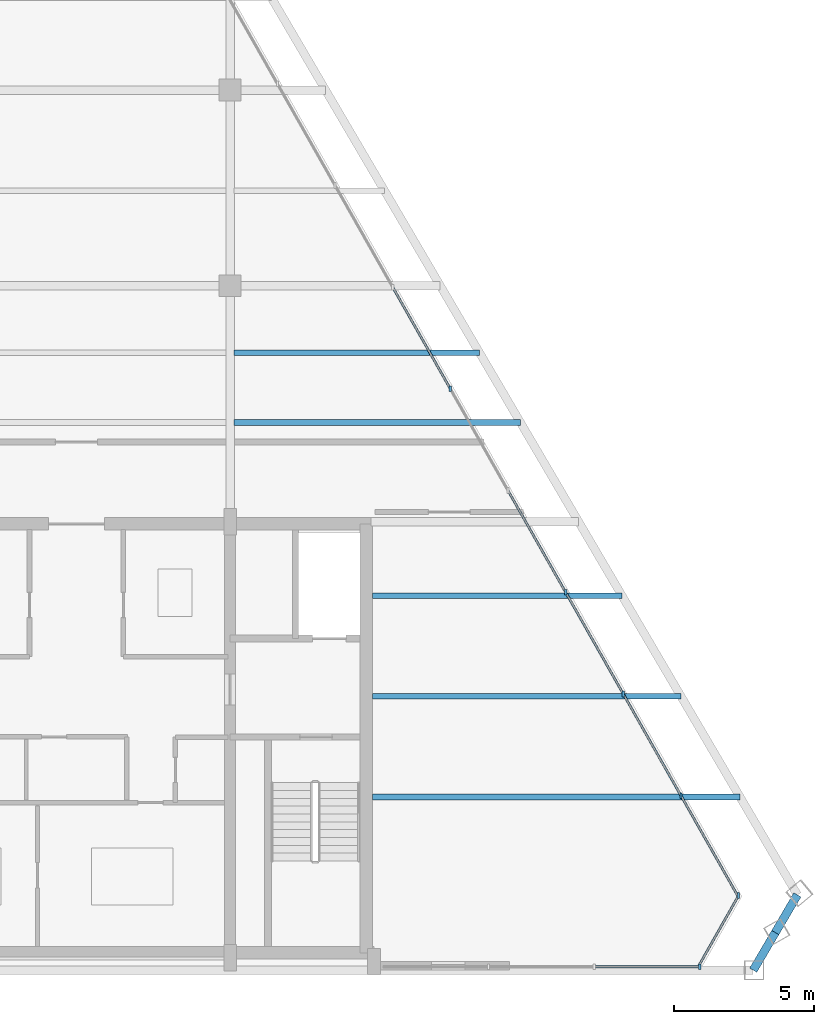
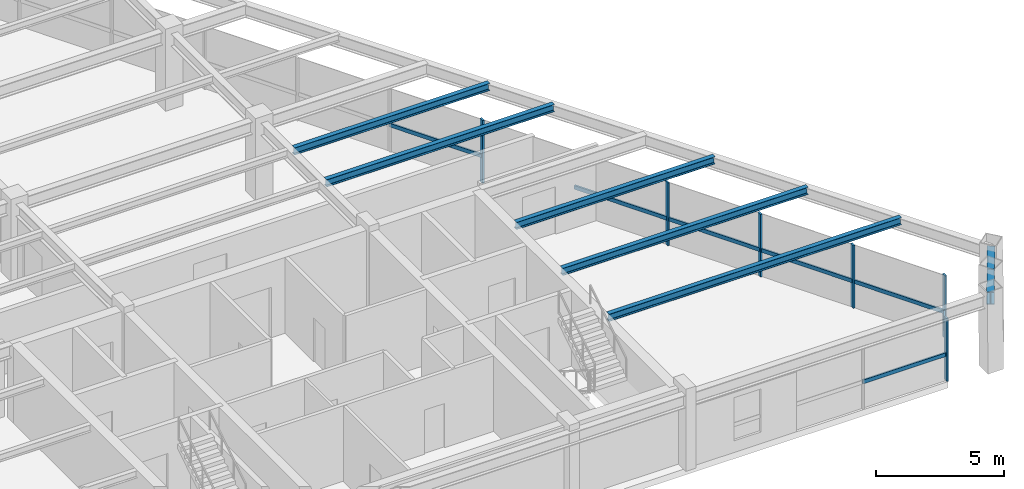
# One storey, part 6 of 12: 13 members, 7 beams, 3 elements without a shape of their own.
"""IFC4 building model written with IfcOpenShell, lengths in metres."""

from ifc_helpers import new_model, si_unit, direction, frame, origin, origin_2d, place, context, subcontext, project, spatial, rectangle, i_section, extrude, source, transform, mapped, material, material_profile, profile_set, type_object, type_shapes, element, aggregate, save


model = new_model("IFC4")

# Units and contexts
model_context = context("Model", 3, precision=1e-05, world=origin(), true_north=direction((0.0, 1.0)))
body_context = subcontext(model_context, "Body", "Model", "MODEL_VIEW")
ifc_project = project(units=[si_unit("LENGTHUNIT", "METRE"), si_unit("AREAUNIT", "SQUARE_METRE"), si_unit("VOLUMEUNIT", "CUBIC_METRE"), si_unit("PLANEANGLEUNIT", "RADIAN"), si_unit("MASSUNIT", "GRAM", prefix="KILO")], contexts=[model_context])

# Site, building, storey
site_placement = place(None, origin())
site = spatial("IfcSite", under=ifc_project, at=site_placement, CompositionType="ELEMENT")
building_placement = place(site_placement, origin())
building = spatial("IfcBuilding", under=site, at=building_placement, Name="Varnakhor Terracotta Tower", CompositionType="ELEMENT")
storey_placement = place(building_placement, frame((0.0, 0.0, 313.60009765625)))
storey = spatial("IfcBuildingStorey", under=building, at=storey_placement, Name="L82 Crown", CompositionType="ELEMENT", Elevation=313.60009765625)

# Beams
ifc_material_1 = material(Name="Steel S355", Category="steel")
ifc_material_profile_1 = material_profile(ifc_material_1, i_section(OverallWidth=0.300048828125, OverallDepth=0.60009765625, WebThickness=0.015380859375, FlangeThickness=0.030029296875, FilletRadius=0.01806640625, at=origin_2d()), Name="HEB600")
ifc_profile_set_1 = profile_set([ifc_material_profile_1], Name="Steel S355")
beam_type_1 = type_object("IfcBeamType", Name="BM-HEB600", PredefinedType="BEAM", material=ifc_profile_set_1)
shared_shape_1 = source(origin(), body_context, "Body", "SweptSolid", [
    extrude(i_section(OverallWidth=0.300048828125, OverallDepth=0.60009765625, WebThickness=0.015380859375, FlangeThickness=0.030029296875, FilletRadius=0.01806640625, at=origin_2d()), origin(), (0.0, 0.0, 1.0), 1.56298828125),
])
beam_1_placement = place(storey_placement, frame((24.2216796875, 0.0, 3.2998046875), z_axis=(0.505763593403, 0.862672120558, 0.0), x_axis=(-0.862672120558, 0.505763593403, 0.0)))
element("IfcBeam", 1, at=beam_1_placement, inside=storey, type_object=beam_type_1, Name="L82 Crown Perimeter Spandrel 2", PredefinedType="BEAM", context=body_context, shape_type="MappedRepresentation", body=[
    mapped(shared_shape_1, transform((0.0, 0.0, 0.0), scale=1.0)),
])
shared_shape_2 = source(origin(), body_context, "Body", "SweptSolid", [
    extrude(i_section(OverallWidth=0.300048828125, OverallDepth=0.60009765625, WebThickness=0.015380859375, FlangeThickness=0.030029296875, FilletRadius=0.01806640625, at=origin_2d()), origin(), (0.0, 0.0, 1.0), 1.5634765625),
])
beam_2_placement = place(storey_placement, frame((25.01220703125, 1.348388671875, 3.2998046875), z_axis=(0.505811674403, 0.862643930041, 0.0), x_axis=(-0.862643930041, 0.505811674403, 0.0)))
element("IfcBeam", 2, at=beam_2_placement, inside=storey, type_object=beam_type_1, Name="L82 Crown Perimeter Spandrel 3", PredefinedType="BEAM", context=body_context, shape_type="MappedRepresentation", body=[
    mapped(shared_shape_2, transform((0.0, 0.0, 0.0), scale=1.0)),
])
ifc_material_profile_2 = material_profile(ifc_material_1, i_section(OverallWidth=0.202880859375, OverallDepth=0.346923828125, WebThickness=0.0078125, FlangeThickness=0.013427734375, FilletRadius=0.01806640625, at=origin_2d()), Name="W14X43")
ifc_profile_set_2 = profile_set([ifc_material_profile_2], Name="Steel S355")
beam_type_2 = type_object("IfcBeamType", Name="JST-W14X43", PredefinedType="JOIST", material=ifc_profile_set_2)
shared_shape_3 = source(origin(), body_context, "Body", "SweptSolid", [
    extrude(i_section(OverallWidth=0.202880859375, OverallDepth=0.346923828125, WebThickness=0.0078125, FlangeThickness=0.013427734375, FilletRadius=0.01806640625, at=origin_2d()), origin(), (0.0, 0.0, 1.0), 13.149169921875),
])
beam_3_placement = place(storey_placement, frame((10.60009765625, 6.199951171875, 3.426513671875), z_axis=(1.0, 0.0, 0.0), x_axis=(0.0, 1.0, 0.0)))
element("IfcBeam", 3, at=beam_3_placement, inside=storey, type_object=beam_type_2, Name="L82 Crown Floor Joist E1", PredefinedType="JOIST", context=body_context, shape_type="MappedRepresentation", body=[
    mapped(shared_shape_3, transform((0.0, 0.0, 0.0), scale=1.0)),
])
shared_shape_4 = source(origin(), body_context, "Body", "SweptSolid", [
    extrude(i_section(OverallWidth=0.202880859375, OverallDepth=0.346923828125, WebThickness=0.0078125, FlangeThickness=0.013427734375, FilletRadius=0.01806640625, at=origin_2d()), origin(), (0.0, 0.0, 1.0), 11.0380859375),
])
beam_4_placement = place(storey_placement, frame((10.60009765625, 9.800048828125, 3.426513671875), z_axis=(1.0, 0.0, 0.0), x_axis=(0.0, 1.0, 0.0)))
element("IfcBeam", 4, at=beam_4_placement, inside=storey, type_object=beam_type_2, Name="L82 Crown Floor Joist E2", PredefinedType="JOIST", context=body_context, shape_type="MappedRepresentation", body=[
    mapped(shared_shape_4, transform((0.0, 0.0, 0.0), scale=1.0)),
])
shared_shape_5 = source(origin(), body_context, "Body", "SweptSolid", [
    extrude(i_section(OverallWidth=0.202880859375, OverallDepth=0.346923828125, WebThickness=0.0078125, FlangeThickness=0.013427734375, FilletRadius=0.01806640625, at=origin_2d()), origin(), (0.0, 0.0, 1.0), 8.92724609375),
])
beam_5_placement = place(storey_placement, frame((10.60009765625, 13.39990234375, 3.426513671875), z_axis=(1.0, 0.0, 0.0), x_axis=(0.0, 1.0, 0.0)))
element("IfcBeam", 5, at=beam_5_placement, inside=storey, type_object=beam_type_2, Name="L82 Crown Floor Joist E3", PredefinedType="JOIST", context=body_context, shape_type="MappedRepresentation", body=[
    mapped(shared_shape_5, transform((0.0, 0.0, 0.0), scale=1.0)),
])
shared_shape_6 = source(origin(), body_context, "Body", "SweptSolid", [
    extrude(i_section(OverallWidth=0.202880859375, OverallDepth=0.346923828125, WebThickness=0.0078125, FlangeThickness=0.013427734375, FilletRadius=0.01806640625, at=origin_2d()), origin(), (0.0, 0.0, 1.0), 10.24609375),
])
beam_6_placement = place(storey_placement, frame((5.64599609375, 19.60009765625, 3.426513671875), z_axis=(1.0, 0.0, 0.0), x_axis=(0.0, 1.0, 0.0)))
element("IfcBeam", 6, at=beam_6_placement, inside=storey, type_object=beam_type_2, Name="L82 Crown Composite Floor Joist 4-3", PredefinedType="JOIST", context=body_context, shape_type="MappedRepresentation", body=[
    mapped(shared_shape_6, transform((0.0, 0.0, 0.0), scale=1.0)),
])
shared_shape_7 = source(origin(), body_context, "Body", "SweptSolid", [
    extrude(i_section(OverallWidth=0.202880859375, OverallDepth=0.346923828125, WebThickness=0.0078125, FlangeThickness=0.013427734375, FilletRadius=0.01806640625, at=origin_2d()), origin(), (0.0, 0.0, 1.0), 8.780029296875),
])
beam_7_placement = place(storey_placement, frame((5.64599609375, 22.10009765625, 3.426513671875), z_axis=(1.0, 0.0, 0.0), x_axis=(0.0, 1.0, 0.0)))
element("IfcBeam", 7, at=beam_7_placement, inside=storey, type_object=beam_type_2, Name="L82 Crown Composite Floor Joist 5-3", PredefinedType="JOIST", context=body_context, shape_type="MappedRepresentation", body=[
    mapped(shared_shape_7, transform((0.0, 0.0, 0.0), scale=1.0)),
])

# Curtain wall, members
ifc_material_2 = material(Name="Anodised Aluminium Curtain Wall System", Category="aluminium")
curtain_wall_type = type_object("IfcCurtainWallType", Name="CW-SYS-CROWN", PredefinedType="NOTDEFINED", material=ifc_material_2)
curtain_wall_1_placement = place(storey_placement, origin())
curtain_wall_1 = element("IfcCurtainWall", 8, at=curtain_wall_1_placement, inside=storey, type_object=curtain_wall_type, Name="L82 Crown Facet Curtain Wall 3", PredefinedType="NOTDEFINED")
ifc_material_3 = material(Name="Anodised Aluminium 6063-T6", Category="aluminium")
ifc_material_profile_3 = material_profile(ifc_material_3, rectangle(XDim=0.080078125, YDim=0.205078125, at=origin_2d()), Name="ALU MULLION 80x205")
ifc_profile_set_3 = profile_set([ifc_material_profile_3], Name="Anodised Aluminium 6063-T6")
member_type_1 = type_object("IfcMemberType", Name="CWM-06", PredefinedType="MULLION", material=ifc_profile_set_3)
shared_shape_8 = source(origin(), body_context, "Body", "SweptSolid", [
    extrude(rectangle(XDim=0.080078125, YDim=0.205078125, at=origin_2d()), origin(), (0.0, 0.0, 1.0), 2.97998046875),
])
type_shapes(member_type_1, [shared_shape_8])
member_1_placement = place(storey_placement, frame((13.382080078125, 20.806396484375, 0.0), z_axis=(0.0, 0.0, 1.0), x_axis=(1.0, 0.0, 0.0)))
member_1 = element("IfcMember", 9, at=member_1_placement, type_object=member_type_1, Name="L82 Crown Facet Curtain Wall 3 Mullion 7", PredefinedType="MULLION", context=body_context, shape_type="MappedRepresentation", body=[
    mapped(shared_shape_8, transform((0.0, 0.0, 0.0), scale=1.0)),
])
member_2_placement = place(storey_placement, frame((17.5087890625, 13.52685546875, 0.0), z_axis=(0.0, 0.0, 1.0), x_axis=(1.0, 0.0, 0.0)))
member_2 = element("IfcMember", 10, at=member_2_placement, type_object=member_type_1, Name="L82 Crown Facet Curtain Wall 3 Mullion 9", PredefinedType="MULLION", context=body_context, shape_type="MappedRepresentation", body=[
    mapped(shared_shape_8, transform((0.0, 0.0, 0.0), scale=1.0)),
])
member_3_placement = place(storey_placement, frame((19.572265625, 9.88720703125, 0.0), z_axis=(0.0, 0.0, 1.0), x_axis=(1.0, 0.0, 0.0)))
member_3 = element("IfcMember", 11, at=member_3_placement, type_object=member_type_1, Name="L82 Crown Facet Curtain Wall 3 Mullion 10", PredefinedType="MULLION", context=body_context, shape_type="MappedRepresentation", body=[
    mapped(shared_shape_8, transform((0.0, 0.0, 0.0), scale=1.0)),
])
member_4_placement = place(storey_placement, frame((21.635498046875, 6.247314453125, 0.0), z_axis=(0.0, 0.0, 1.0), x_axis=(1.0, 0.0, 0.0)))
member_4 = element("IfcMember", 12, at=member_4_placement, type_object=member_type_1, Name="L82 Crown Facet Curtain Wall 3 Mullion 11", PredefinedType="MULLION", context=body_context, shape_type="MappedRepresentation", body=[
    mapped(shared_shape_8, transform((0.0, 0.0, 0.0), scale=1.0)),
])

# Curtain wall, member
curtain_wall_2_placement = place(storey_placement, origin())
curtain_wall_2 = element("IfcCurtainWall", 13, at=curtain_wall_2_placement, inside=storey, type_object=curtain_wall_type, Name="L82 Crown Facet Curtain Wall 4", PredefinedType="NOTDEFINED")
member_5_placement = place(storey_placement, frame((23.698974609375, 2.673828125, 0.0), z_axis=(0.0, 0.0, 1.0), x_axis=(1.0, 0.0, 0.0)))
member_5 = element("IfcMember", 14, at=member_5_placement, type_object=member_type_1, Name="L82 Crown Facet Curtain Wall 4 Mullion 1", PredefinedType="MULLION", context=body_context, shape_type="MappedRepresentation", body=[
    mapped(shared_shape_8, transform((0.0, 0.0, 0.0), scale=1.0)),
])

curtain_wall_3_placement = place(storey_placement, origin())
curtain_wall_3 = element("IfcCurtainWall", 15, at=curtain_wall_3_placement, inside=storey, type_object=curtain_wall_type, Name="L82 Crown South Wing Curtain Wall SSE", PredefinedType="NOTDEFINED")
member_6_placement = place(storey_placement, frame((22.31103515625, 0.1201171875, 0.0), z_axis=(0.0, 0.0, 1.0), x_axis=(1.0, 0.0, 0.0)))
member_6 = element("IfcMember", 16, at=member_6_placement, type_object=member_type_1, Name="L82 Crown South Wing Curtain Wall SSE Mullion 1", PredefinedType="MULLION", context=body_context, shape_type="MappedRepresentation", body=[
    mapped(shared_shape_8, transform((0.0, 0.0, 0.0), scale=1.0)),
])

# Member
ifc_material_profile_4 = material_profile(ifc_material_3, rectangle(XDim=0.080078125, YDim=0.179931640625, at=origin_2d()), Name="ALU TRANSOM 80x180")
ifc_profile_set_4 = profile_set([ifc_material_profile_4], Name="Anodised Aluminium 6063-T6")
member_type_2 = type_object("IfcMemberType", Name="CWT-06", PredefinedType="USERDEFINED", material=ifc_profile_set_4)
shared_shape_9 = source(origin(), body_context, "Body", "SweptSolid", [
    extrude(rectangle(XDim=0.080078125, YDim=0.179931640625, at=origin_2d()), origin(), (0.0, 0.0, 1.0), 4.183837890625),
])
member_7_placement = place(storey_placement, frame((17.5087890625, 13.52685546875, 1.25146484375), z_axis=(0.493195127326, -0.869918712514, 0.0), x_axis=(0.869918712514, 0.493195127326, 0.0)))
member_7 = element("IfcMember", 17, at=member_7_placement, type_object=member_type_2, Name="L82 Crown Facet Curtain Wall 3 Transom 9", ObjectType="TRANSOM", PredefinedType="USERDEFINED", context=body_context, shape_type="MappedRepresentation", body=[
    mapped(shared_shape_9, transform((0.0, 0.0, 0.0), scale=1.0)),
])

member_8_placement = place(storey_placement, frame((21.635498046875, 6.247314453125, 1.25146484375), z_axis=(0.493195127326, -0.869918712514, 0.0), x_axis=(0.869918712514, 0.493195127326, 0.0)))
member_8 = element("IfcMember", 18, at=member_8_placement, type_object=member_type_2, Name="L82 Crown Facet Curtain Wall 3 Transom 11", ObjectType="TRANSOM", PredefinedType="USERDEFINED", context=body_context, shape_type="MappedRepresentation", body=[
    mapped(shared_shape_9, transform((0.0, 0.0, 0.0), scale=1.0)),
])

shared_shape_10 = source(origin(), body_context, "Body", "SweptSolid", [
    extrude(rectangle(XDim=0.080078125, YDim=0.179931640625, at=origin_2d()), origin(), (0.0, 0.0, 1.0), 4.18408203125),
])
member_9_placement = place(storey_placement, frame((11.31884765625, 24.4462890625, 1.25146484375), z_axis=(0.493125933024, -0.869957938167, 0.0), x_axis=(0.869957938167, 0.493125933024, 0.0)))
member_9 = element("IfcMember", 19, at=member_9_placement, type_object=member_type_2, Name="L82 Crown Facet Curtain Wall 3 Transom 6", ObjectType="TRANSOM", PredefinedType="USERDEFINED", context=body_context, shape_type="MappedRepresentation", body=[
    mapped(shared_shape_10, transform((0.0, 0.0, 0.0), scale=1.0)),
])

member_10_placement = place(storey_placement, frame((15.445556640625, 17.166748046875, 1.25146484375), z_axis=(0.493125933024, -0.869957938167, 0.0), x_axis=(0.869957938167, 0.493125933024, 0.0)))
member_10 = element("IfcMember", 20, at=member_10_placement, type_object=member_type_2, Name="L82 Crown Facet Curtain Wall 3 Transom 8", ObjectType="TRANSOM", PredefinedType="USERDEFINED", context=body_context, shape_type="MappedRepresentation", body=[
    mapped(shared_shape_10, transform((0.0, 0.0, 0.0), scale=1.0)),
])

member_11_placement = place(storey_placement, frame((19.572265625, 9.88720703125, 1.25146484375), z_axis=(0.493125933024, -0.869957938167, 0.0), x_axis=(0.869957938167, 0.493125933024, 0.0)))
member_11 = element("IfcMember", 21, at=member_11_placement, type_object=member_type_2, Name="L82 Crown Facet Curtain Wall 3 Transom 10", ObjectType="TRANSOM", PredefinedType="USERDEFINED", context=body_context, shape_type="MappedRepresentation", body=[
    mapped(shared_shape_10, transform((0.0, 0.0, 0.0), scale=1.0)),
])

aggregate(curtain_wall_1, [member_9, member_1, member_10, member_2, member_7, member_3, member_11, member_4, member_8])

shared_shape_11 = source(origin(), body_context, "Body", "SweptSolid", [
    extrude(rectangle(XDim=0.080078125, YDim=0.179931640625, at=origin_2d()), origin(), (0.0, 0.0, 1.0), 2.9755859375),
])
member_12_placement = place(storey_placement, frame((23.698974609375, 2.673828125, 1.25146484375), z_axis=(-0.49317610244, -0.869929498282, 0.0), x_axis=(0.869929498282, -0.49317610244, 0.0)))
member_12 = element("IfcMember", 22, at=member_12_placement, type_object=member_type_2, Name="L82 Crown Facet Curtain Wall 4 Transom 1", ObjectType="TRANSOM", PredefinedType="USERDEFINED", context=body_context, shape_type="MappedRepresentation", body=[
    mapped(shared_shape_11, transform((0.0, 0.0, 0.0), scale=1.0)),
])

aggregate(curtain_wall_2, [member_5, member_12])

shared_shape_12 = source(origin(), body_context, "Body", "SweptSolid", [
    extrude(rectangle(XDim=0.080078125, YDim=0.179931640625, at=origin_2d()), origin(), (0.0, 0.0, 1.0), 3.7802734375),
])
member_13_placement = place(storey_placement, frame((22.31103515625, 0.1201171875, 1.25146484375), z_axis=(-1.0, 0.0, 0.0), x_axis=(0.0, -1.0, 0.0)))
member_13 = element("IfcMember", 23, at=member_13_placement, type_object=member_type_2, Name="L82 Crown South Wing Curtain Wall SSE Transom 1", ObjectType="TRANSOM", PredefinedType="USERDEFINED", context=body_context, shape_type="MappedRepresentation", body=[
    mapped(shared_shape_12, transform((0.0, 0.0, 0.0), scale=1.0)),
])

aggregate(curtain_wall_3, [member_6, member_13])

save(model, "model.ifc")
